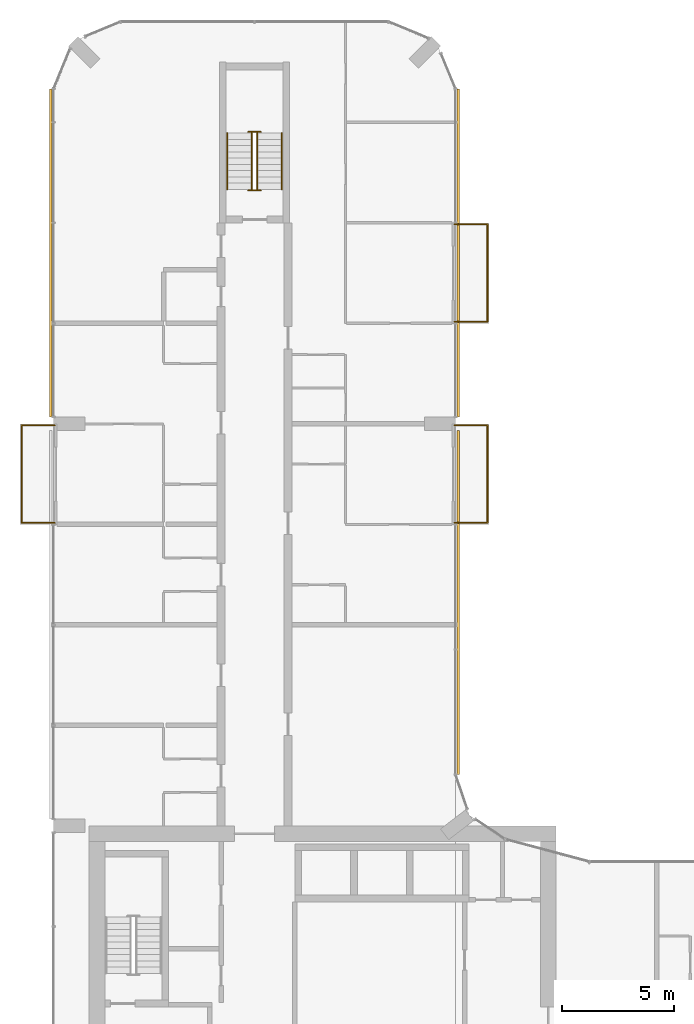
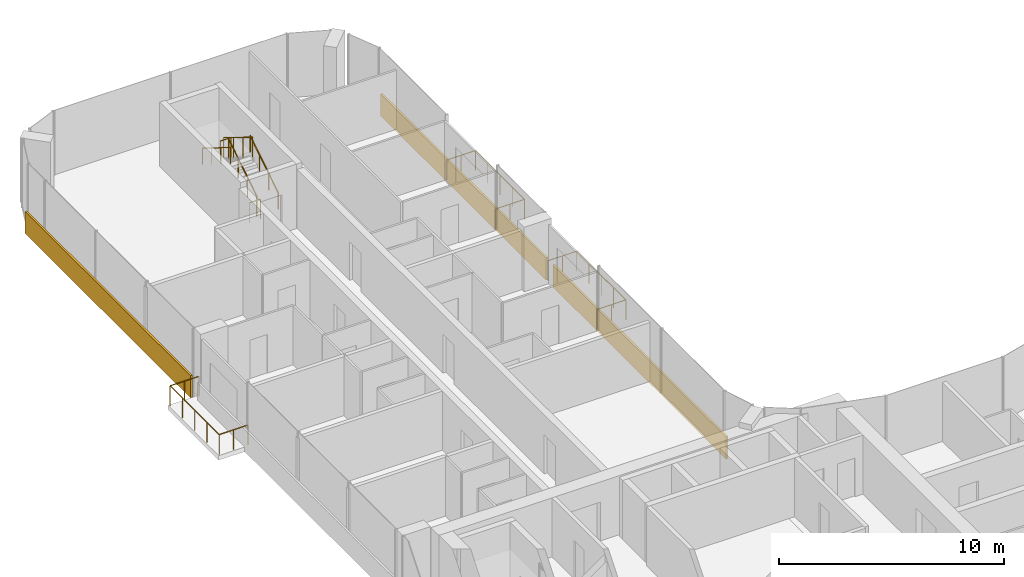
# One storey, part 21 of 22: 9 railings, 3 coverings.
"""IFC4 building model written with IfcOpenShell, lengths in metres."""

from ifc_helpers import new_model, si_unit, direction, frame, origin, origin_2d, place, context, subcontext, project, spatial, rectangle, circle, extrude, material, layer, layer_set, type_object, element, save


model = new_model("IFC4")

# Units and contexts
model_context = context("Model", 3, precision=1e-05, world=origin(), true_north=direction((0.0, 1.0)))
body_context = subcontext(model_context, "Body", "Model", "MODEL_VIEW")
ifc_project = project(units=[si_unit("LENGTHUNIT", "METRE"), si_unit("AREAUNIT", "SQUARE_METRE"), si_unit("VOLUMEUNIT", "CUBIC_METRE"), si_unit("PLANEANGLEUNIT", "RADIAN"), si_unit("MASSUNIT", "GRAM", prefix="KILO")], contexts=[model_context])

# Site, building, storey
site_placement = place(None, origin())
site = spatial("IfcSite", under=ifc_project, at=site_placement, CompositionType="ELEMENT")
building_placement = place(site_placement, origin())
building = spatial("IfcBuilding", under=site, at=building_placement, Name="Plateau Cross Towers", CompositionType="ELEMENT")
storey_placement = place(building_placement, frame((0.0, 0.0, 68.800048828125)))
storey = spatial("IfcBuildingStorey", under=building, at=storey_placement, Name="L17", CompositionType="ELEMENT", Elevation=68.800048828125)

# Railings
ifc_material_1 = material(Name="Stainless steel and toughened glass", Category="steel")
railing_type_1 = type_object("IfcRailingType", Name="Glass balustrade guard 1100", PredefinedType="GUARDRAIL", material=ifc_material_1)
railing_1_placement = place(storey_placement, frame((0.050048828125, 31.570068359375, 0.0)))
element("IfcRailing", 1, at=railing_1_placement, inside=storey, type_object=railing_type_1, Name="Guard guard1", PredefinedType="GUARDRAIL", context=body_context, shape_type="SweptSolid", body=[
    extrude(circle(Radius=0.02392578125, at=origin_2d()), frame((0.0, 0.0, 1.076171875), z_axis=(-1.0, 0.0, 0.0), x_axis=(0.0, -1.0, 0.0)), (0.0, 0.0, 1.0), 1.47998046875),
    extrude(circle(Radius=0.02392578125, at=origin_2d()), frame((-1.47998046875, 0.0, 1.076171875), z_axis=(0.0, 1.0, 0.0), x_axis=(-1.0, 0.0, 0.0)), (0.0, 0.0, 1.0), 4.35986328125),
    extrude(circle(Radius=0.02392578125, at=origin_2d()), frame((-1.47998046875, 4.35986328125, 1.076171875), z_axis=(1.0, 0.0, 0.0), x_axis=(0.0, 1.0, 0.0)), (0.0, 0.0, 1.0), 1.47998046875),
    extrude(circle(Radius=0.02099609375, at=origin_2d()), origin(), (0.0, 0.0, 1.0), 1.052001953125),
    extrude(circle(Radius=0.02099609375, at=origin_2d()), frame((-0.739990234375, 0.0, 0.0)), (0.0, 0.0, 1.0), 1.052001953125),
    extrude(circle(Radius=0.02099609375, at=origin_2d()), frame((-1.47998046875, 0.0, 0.0)), (0.0, 0.0, 1.0), 1.052001953125),
    extrude(circle(Radius=0.02099609375, at=origin_2d()), frame((-1.47998046875, 1.08984375, 0.0)), (0.0, 0.0, 1.0), 1.052001953125),
    extrude(circle(Radius=0.02099609375, at=origin_2d()), frame((-1.47998046875, 2.179931640625, 0.0)), (0.0, 0.0, 1.0), 1.052001953125),
    extrude(circle(Radius=0.02099609375, at=origin_2d()), frame((-1.47998046875, 3.27001953125, 0.0)), (0.0, 0.0, 1.0), 1.052001953125),
    extrude(circle(Radius=0.02099609375, at=origin_2d()), frame((-1.47998046875, 4.35986328125, 0.0)), (0.0, 0.0, 1.0), 1.052001953125),
    extrude(circle(Radius=0.02099609375, at=origin_2d()), frame((-0.739990234375, 4.35986328125, 0.0)), (0.0, 0.0, 1.0), 1.052001953125),
    extrude(circle(Radius=0.02099609375, at=origin_2d()), frame((0.0, 4.35986328125, 0.0)), (0.0, 0.0, 1.0), 1.052001953125),
])
for number, where, name in (
    (2, (17.949951171875, 35.929931640625, 0.0), "Guard guard1"),
    (3, (17.949951171875, 44.929931640625, 0.0), "Guard guard1"),
):
    element("IfcRailing", number, at=place(storey_placement, frame(where)), inside=storey, type_object=railing_type_1, Name=name, PredefinedType="GUARDRAIL", context=body_context, shape_type="SweptSolid", body=[
        extrude(circle(Radius=0.02392578125, at=origin_2d()), frame((0.0, 0.0, 1.076171875), z_axis=(1.0, 0.0, 0.0), x_axis=(0.0, 1.0, 0.0)), (0.0, 0.0, 1.0), 1.47998046875),
        extrude(circle(Radius=0.02392578125, at=origin_2d()), frame((1.47998046875, 0.0, 1.076171875), z_axis=(0.0, -1.0, 0.0), x_axis=(1.0, 0.0, 0.0)), (0.0, 0.0, 1.0), 4.35986328125),
        extrude(circle(Radius=0.02392578125, at=origin_2d()), frame((1.47998046875, -4.35986328125, 1.076171875), z_axis=(-1.0, 0.0, 0.0), x_axis=(0.0, -1.0, 0.0)), (0.0, 0.0, 1.0), 1.47998046875),
        extrude(circle(Radius=0.02099609375, at=origin_2d()), origin(), (0.0, 0.0, 1.0), 1.052001953125),
        extrude(circle(Radius=0.02099609375, at=origin_2d()), frame((0.739990234375, 0.0, 0.0)), (0.0, 0.0, 1.0), 1.052001953125),
        extrude(circle(Radius=0.02099609375, at=origin_2d()), frame((1.47998046875, 0.0, 0.0)), (0.0, 0.0, 1.0), 1.052001953125),
        extrude(circle(Radius=0.02099609375, at=origin_2d()), frame((1.47998046875, -1.08984375, 0.0)), (0.0, 0.0, 1.0), 1.052001953125),
        extrude(circle(Radius=0.02099609375, at=origin_2d()), frame((1.47998046875, -2.179931640625, 0.0)), (0.0, 0.0, 1.0), 1.052001953125),
        extrude(circle(Radius=0.02099609375, at=origin_2d()), frame((1.47998046875, -3.27001953125, 0.0)), (0.0, 0.0, 1.0), 1.052001953125),
        extrude(circle(Radius=0.02099609375, at=origin_2d()), frame((1.47998046875, -4.35986328125, 0.0)), (0.0, 0.0, 1.0), 1.052001953125),
        extrude(circle(Radius=0.02099609375, at=origin_2d()), frame((0.739990234375, -4.35986328125, 0.0)), (0.0, 0.0, 1.0), 1.052001953125),
        extrude(circle(Radius=0.02099609375, at=origin_2d()), frame((0.0, -4.35986328125, 0.0)), (0.0, 0.0, 1.0), 1.052001953125),
    ])
railing_type_2 = type_object("IfcRailingType", Name="RL-GUARD-1100", PredefinedType="GUARDRAIL", material=ifc_material_1)
railing_2_placement = place(storey_placement, frame((9.125, 46.5, 0.175048828125)))
element("IfcRailing", 4, at=railing_2_placement, inside=storey, type_object=railing_type_2, Name="L17 ES-N stair guard 1", PredefinedType="GUARDRAIL", context=body_context, shape_type="SweptSolid", body=[
    extrude(circle(Radius=0.02392578125, at=origin_2d()), frame((0.0, 0.0, 1.076171875), z_axis=(0.0, 0.848007534815, 0.529984170421), x_axis=(-1.0, 0.0, 0.0)), (0.0, 0.0, 1.0), 2.9716796875),
    extrude(circle(Radius=0.02099609375, at=origin_2d()), origin(), (0.0, 0.0, 1.0), 1.052001953125),
    extrude(circle(Radius=0.02099609375, at=origin_2d()), frame((0.0, 0.840087890625, 0.52490234375)), (0.0, 0.0, 1.0), 1.052001953125),
    extrude(circle(Radius=0.02099609375, at=origin_2d()), frame((0.0, 1.679931640625, 1.050048828125)), (0.0, 0.0, 1.0), 1.052001953125),
    extrude(circle(Radius=0.02099609375, at=origin_2d()), frame((0.0, 2.52001953125, 1.574951171875)), (0.0, 0.0, 1.0), 1.052001953125),
])
railing_3_placement = place(storey_placement, frame((9.27490234375, 49.070068359375, 1.75)))
element("IfcRailing", 5, at=railing_3_placement, inside=storey, type_object=railing_type_2, Name="L17 ES-N stair guard 2", PredefinedType="GUARDRAIL", context=body_context, shape_type="SweptSolid", body=[
    extrude(circle(Radius=0.02392578125, at=origin_2d()), frame((0.0, 0.0, 1.076171875), z_axis=(-1.0, 0.0, 0.0), x_axis=(0.0, -1.0, 0.0)), (0.0, 0.0, 1.0), 0.5498046875),
    extrude(circle(Radius=0.02099609375, at=origin_2d()), origin(), (0.0, 0.0, 1.0), 1.052001953125),
    extrude(circle(Radius=0.02099609375, at=origin_2d()), frame((-0.5498046875, 0.0, 0.0)), (0.0, 0.0, 1.0), 1.052001953125),
])
railing_4_placement = place(storey_placement, frame((8.875, 49.02001953125, 1.925048828125)))
element("IfcRailing", 6, at=railing_4_placement, inside=storey, type_object=railing_type_2, Name="L17 ES-N stair guard 3", PredefinedType="GUARDRAIL", context=body_context, shape_type="SweptSolid", body=[
    extrude(circle(Radius=0.02392578125, at=origin_2d()), frame((0.0, 0.0, 1.076171875), z_axis=(0.0, -0.852638500773, 0.522501279423), x_axis=(1.0, 0.0, 0.0)), (0.0, 0.0, 1.0), 3.01416015625),
    extrude(circle(Radius=0.02099609375, at=origin_2d()), origin(), (0.0, 0.0, 1.0), 1.052001953125),
    extrude(circle(Radius=0.02099609375, at=origin_2d()), frame((0.0, -0.856689453125, 0.52490234375)), (0.0, 0.0, 1.0), 1.052001953125),
    extrude(circle(Radius=0.02099609375, at=origin_2d()), frame((0.0, -1.71337890625, 1.050048828125)), (0.0, 0.0, 1.0), 1.052001953125),
    extrude(circle(Radius=0.02099609375, at=origin_2d()), frame((0.0, -2.570068359375, 1.574951171875)), (0.0, 0.0, 1.0), 1.052001953125),
])
railing_5_placement = place(storey_placement, frame((9.27490234375, 46.449951171875, 0.0)))
element("IfcRailing", 7, at=railing_5_placement, inside=storey, type_object=railing_type_2, Name="L17 ES-N stair guard 4", PredefinedType="GUARDRAIL", context=body_context, shape_type="SweptSolid", body=[
    extrude(circle(Radius=0.02392578125, at=origin_2d()), frame((0.0, 0.0, 1.076171875), z_axis=(-1.0, 0.0, 0.0), x_axis=(0.0, -1.0, 0.0)), (0.0, 0.0, 1.0), 0.5498046875),
    extrude(circle(Radius=0.02099609375, at=origin_2d()), origin(), (0.0, 0.0, 1.0), 1.052001953125),
    extrude(circle(Radius=0.02099609375, at=origin_2d()), frame((-0.5498046875, 0.0, 0.0)), (0.0, 0.0, 1.0), 1.052001953125),
])
ifc_material_2 = material(Name="Black anodised aluminium", Category="aluminium")
railing_type_3 = type_object("IfcRailingType", Name="RL-HANDRAIL-900", PredefinedType="HANDRAIL", material=ifc_material_2)
railing_6_placement = place(storey_placement, frame((10.22509765625, 46.5, 0.175048828125)))
element("IfcRailing", 8, at=railing_6_placement, inside=storey, type_object=railing_type_3, Name="L17 ES-N stair handrail 1", PredefinedType="HANDRAIL", context=body_context, shape_type="SweptSolid", body=[
    extrude(circle(Radius=0.02392578125, at=origin_2d()), frame((0.0, 0.0, 0.8759765625), z_axis=(0.0, 0.848007534815, 0.529984170421), x_axis=(-1.0, 0.0, 0.0)), (0.0, 0.0, 1.0), 2.9716796875),
    extrude(circle(Radius=0.02099609375, at=origin_2d()), origin(), (0.0, 0.0, 1.0), 0.851806640625),
    extrude(circle(Radius=0.02099609375, at=origin_2d()), frame((0.0, 0.840087890625, 0.52490234375)), (0.0, 0.0, 1.0), 0.851806640625),
    extrude(circle(Radius=0.02099609375, at=origin_2d()), frame((0.0, 1.679931640625, 1.050048828125)), (0.0, 0.0, 1.0), 0.851806640625),
    extrude(circle(Radius=0.02099609375, at=origin_2d()), frame((0.0, 2.52001953125, 1.574951171875)), (0.0, 0.0, 1.0), 0.851806640625),
])
railing_7_placement = place(storey_placement, frame((7.77490234375, 49.02001953125, 1.925048828125)))
element("IfcRailing", 9, at=railing_7_placement, inside=storey, type_object=railing_type_3, Name="L17 ES-N stair handrail 2", PredefinedType="HANDRAIL", context=body_context, shape_type="SweptSolid", body=[
    extrude(circle(Radius=0.02392578125, at=origin_2d()), frame((0.0, 0.0, 0.8759765625), z_axis=(0.0, -0.848007534815, 0.529984170421), x_axis=(1.0, 0.0, 0.0)), (0.0, 0.0, 1.0), 2.9716796875),
    extrude(circle(Radius=0.02099609375, at=origin_2d()), origin(), (0.0, 0.0, 1.0), 0.851806640625),
    extrude(circle(Radius=0.02099609375, at=origin_2d()), frame((0.0, -0.840087890625, 0.52490234375)), (0.0, 0.0, 1.0), 0.851806640625),
    extrude(circle(Radius=0.02099609375, at=origin_2d()), frame((0.0, -1.679931640625, 1.050048828125)), (0.0, 0.0, 1.0), 0.851806640625),
    extrude(circle(Radius=0.02099609375, at=origin_2d()), frame((0.0, -2.52001953125, 1.574951171875)), (0.0, 0.0, 1.0), 0.851806640625),
])

# Coverings
ifc_material_3 = material(Name="Precast concrete cladding C40/50", Category="concrete")
ifc_layer = layer(ifc_material_3, 0.10009765625)
ifc_layer_set = layer_set([ifc_layer], Name="Precast concrete cladding C40/50")
covering_type = type_object("IfcCoveringType", Name="Spandrel band cladding 100x1200", PredefinedType="CLADDING", material=ifc_layer_set)
covering_placement = place(storey_placement, frame((18.1201171875, 28.001220703125, -0.25), z_axis=(0.0, 0.0, 1.0), x_axis=(0.0, 1.0, 0.0)))
element("IfcCovering", 10, at=covering_placement, inside=storey, type_object=covering_type, Name="Spandrel band", PredefinedType="CLADDING", context=body_context, shape_type="SweptSolid", body=[
    extrude(rectangle(XDim=15.397705078125, YDim=0.10009765625, at=origin_2d()), origin(), (0.0, 0.0, 1.0), 1.199951171875),
])
for number, where, z_axis, x_axis, name in (
    (11, (18.1201171875, 43.64990234375, -0.25), (0.0, 0.0, 1.0), (0.0, 1.0, 0.0), "Spandrel band"),
    (12, (-0.1201171875, 43.64990234375, -0.25), (0.0, 0.0, 1.0), (0.0, -1.0, 0.0), "Spandrel band"),
):
    element("IfcCovering", number, at=place(storey_placement, frame(where, z_axis=z_axis, x_axis=x_axis)), inside=storey, type_object=covering_type, Name=name, PredefinedType="CLADDING", context=body_context, shape_type="SweptSolid", body=[
        extrude(rectangle(XDim=14.699951171875, YDim=0.10009765625, at=origin_2d()), origin(), (0.0, 0.0, 1.0), 1.199951171875),
    ])

save(model, "model.ifc")
